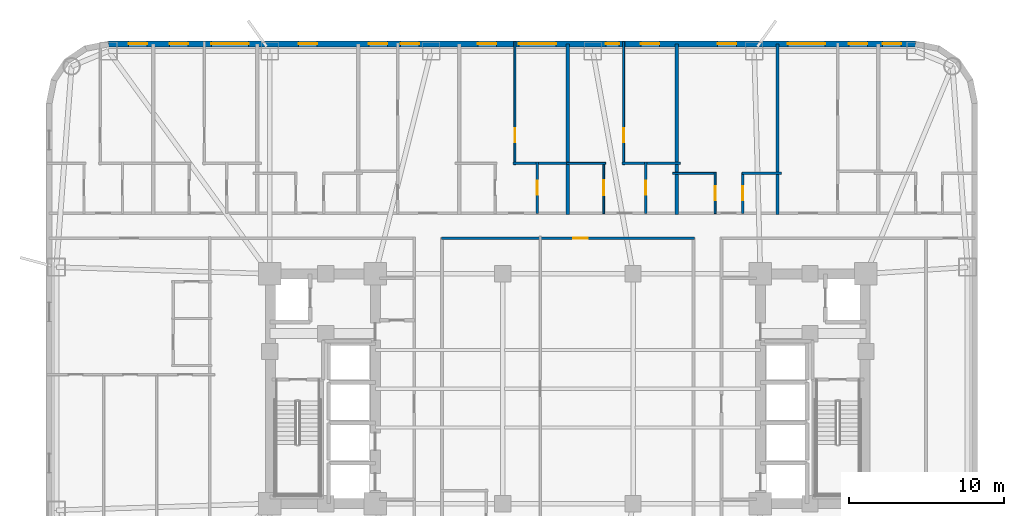
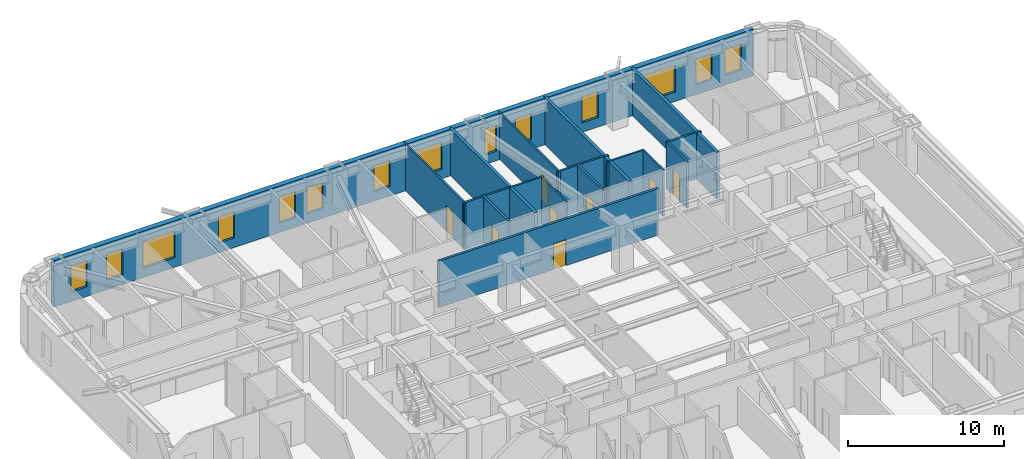
# One storey, part 8 of 11: 17 walls, 14 windows, 8 doors, 22 openings.
"""IFC4 building model written with IfcOpenShell, lengths in metres."""

from ifc_helpers import new_model, si_unit, direction, frame, frame_2d, origin, place, context, subcontext, project, spatial, rectangle, extrude, material, layer, layer_set, type_object, element, fill, save


model = new_model("IFC4")

# Units and contexts
model_context = context("Model", 3, precision=1e-05, world=origin(), true_north=direction((0.0, 1.0)))
body_context = subcontext(model_context, "Body", "Model", "MODEL_VIEW")
ifc_project = project(units=[si_unit("LENGTHUNIT", "METRE"), si_unit("AREAUNIT", "SQUARE_METRE"), si_unit("VOLUMEUNIT", "CUBIC_METRE"), si_unit("PLANEANGLEUNIT", "RADIAN"), si_unit("MASSUNIT", "GRAM", prefix="KILO")], contexts=[model_context])

# Site, building, storey
site_placement = place(None, origin())
site = spatial("IfcSite", under=ifc_project, at=site_placement, CompositionType="ELEMENT")
building_placement = place(site_placement, origin())
building = spatial("IfcBuilding", under=site, at=building_placement, Name="Voryun Gate Residences", CompositionType="ELEMENT")
storey_placement = place(building_placement, frame((0.0, 0.0, 49.39990234375)))
storey = spatial("IfcBuildingStorey", under=building, at=storey_placement, Name="L11", CompositionType="ELEMENT", Elevation=49.39990234375)

# Wall, opening, door
ifc_material_1 = material(Name="Gypsum acoustic fireboard")
ifc_layer_1 = layer(ifc_material_1, 0.179931640625, Name="W_CORR_RATED_180")
ifc_layer_set_1 = layer_set([ifc_layer_1], Name="Gypsum acoustic fireboard")
wall_type_1 = type_object("IfcWallType", Name="W_CORR_RATED_180", PredefinedType="PARTITIONING", material=ifc_layer_set_1)
wall_1_placement = place(storey_placement, frame((-8.14990234375, 9.68994140625, 0.0), z_axis=(0.0, 0.0, 1.0), x_axis=(1.0, 0.0, 0.0)))
wall_1 = element("IfcWall", 1, at=wall_1_placement, inside=storey, type_object=wall_type_1, Name="Partition wall WP-L11-Z1N", PredefinedType="PARTITIONING", context=body_context, shape_type="SweptSolid", body=[
    extrude(rectangle(XDim=16.2998046875, YDim=0.179931640625, at=frame_2d((8.14990234375, 0.0))), origin(), (0.0, 0.0, 1.0), 3.650146484375),
])
opening_1_placement = place(wall_1_placement, frame((8.489990234375, 0.0, 0.0)))
opening_1 = element("IfcOpeningElement", 2, at=opening_1_placement, cuts=wall_1, Name="Opening D-INT-1", PredefinedType="OPENING", context=body_context, shape_type="SweptSolid", body=[
    extrude(rectangle(XDim=0.949951171875, YDim=2.050048828125, at=frame_2d((0.47509765625, 1.02490234375))), frame((0.0, 0.099853515625, 0.0), z_axis=(0.0, -1.0, 0.0), x_axis=(1.0, 0.0, 0.0)), (0.0, 0.0, 1.0), 0.199951171875),
])
ifc_material_2 = material(Name="Architectural oak veneer")
door_type_1 = type_object("IfcDoorType", Name="DR_INT_ROOM_950", OperationType="NOTDEFINED", PredefinedType="DOOR", material=ifc_material_2)
door_1_placement = place(opening_1_placement, origin())
door_1 = element("IfcDoor", 3, at=door_1_placement, inside=storey, type_object=door_type_1, Name="Door DR-L11-CMIDZ1N", OperationType="SINGLE_SWING_LEFT", OverallHeight=2.050048828125, OverallWidth=0.949951171875, PredefinedType="DOOR", context=body_context, shape_type="SweptSolid", body=[
    extrude(rectangle(XDim=0.949951171875, YDim=2.050048828125, at=frame_2d((0.47509765625, 1.02490234375))), frame((0.0, 0.02490234375, 0.0), z_axis=(0.0, -1.0, 0.0), x_axis=(1.0, 0.0, 0.0)), (0.0, 0.0, 1.0), 0.050048828125),
])
fill(opening_1, door_1)

# Wall, openings, windows
ifc_material_3 = material(Name="Granite masonry", Category="masonry")
ifc_layer_2 = layer(ifc_material_3, 0.3798828125, Name="W_EXT_GRANITE_380")
ifc_layer_set_2 = layer_set([ifc_layer_2], Name="Granite masonry")
wall_type_2 = type_object("IfcWallType", Name="W_EXT_GRANITE_380", PredefinedType="ELEMENTEDWALL", material=ifc_layer_set_2)
wall_2_placement = place(storey_placement, frame((-29.581298828125, 22.2099609375, 0.0), z_axis=(0.0, 0.0, 1.0), x_axis=(1.0, 0.0, 0.0)))
wall_2 = element("IfcWall", 4, at=wall_2_placement, inside=storey, type_object=wall_type_2, Name="Exterior wall WEXT-L11-11", PredefinedType="ELEMENTEDWALL", context=body_context, shape_type="SweptSolid", body=[
    extrude(rectangle(XDim=51.962646484375, YDim=0.3798828125, at=frame_2d((25.9814453125, 0.0))), origin(), (0.0, 0.0, 1.0), 3.650146484375),
])
opening_2_placement = place(wall_2_placement, frame((6.6103515625, 0.0, 0.75)))
opening_2 = element("IfcOpeningElement", 5, at=opening_2_placement, cuts=wall_2, Name="Opening WN2", PredefinedType="OPENING", context=body_context, shape_type="SweptSolid", body=[
    extrude(rectangle(XDim=2.39990234375, YDim=2.10009765625, at=frame_2d((1.199951171875, 1.050048828125))), frame((0.0, 0.199951171875, 0.0), z_axis=(0.0, -1.0, 0.0), x_axis=(1.0, 0.0, 0.0)), (0.0, 0.0, 1.0), 0.39990234375),
])
opening_3_placement = place(wall_2_placement, frame((26.431396484375, 0.0, 0.75)))
opening_3 = element("IfcOpeningElement", 6, at=opening_3_placement, cuts=wall_2, Name="Opening WN2", PredefinedType="OPENING", context=body_context, shape_type="SweptSolid", body=[
    extrude(rectangle(XDim=2.39990234375, YDim=2.10009765625, at=frame_2d((1.199951171875, 1.050048828125))), frame((0.0, 0.199951171875, 0.0), z_axis=(0.0, -1.0, 0.0), x_axis=(1.0, 0.0, 0.0)), (0.0, 0.0, 1.0), 0.39990234375),
])
opening_4_placement = place(wall_2_placement, frame((43.752197265625, 0.0, 0.75)))
opening_4 = element("IfcOpeningElement", 7, at=opening_4_placement, cuts=wall_2, Name="Opening WN2", PredefinedType="OPENING", context=body_context, shape_type="SweptSolid", body=[
    extrude(rectangle(XDim=2.39990234375, YDim=2.10009765625, at=frame_2d((1.199951171875, 1.050048828125))), frame((0.0, 0.199951171875, 0.0), z_axis=(0.0, -1.0, 0.0), x_axis=(1.0, 0.0, 0.0)), (0.0, 0.0, 1.0), 0.39990234375),
])
opening_5_placement = place(wall_2_placement, frame((1.281005859375, 0.0, 0.75)))
opening_5 = element("IfcOpeningElement", 8, at=opening_5_placement, cuts=wall_2, Name="Opening WN6", PredefinedType="OPENING", context=body_context, shape_type="SweptSolid", body=[
    extrude(rectangle(XDim=1.199951171875, YDim=2.050048828125, at=frame_2d((0.60009765625, 1.02490234375))), frame((0.0, 0.199951171875, 0.0), z_axis=(0.0, -1.0, 0.0), x_axis=(1.0, 0.0, 0.0)), (0.0, 0.0, 1.0), 0.39990234375),
])
opening_6_placement = place(wall_2_placement, frame((3.921875, 0.0, 0.75)))
opening_6 = element("IfcOpeningElement", 9, at=opening_6_placement, cuts=wall_2, Name="Opening WN6", PredefinedType="OPENING", context=body_context, shape_type="SweptSolid", body=[
    extrude(rectangle(XDim=1.199951171875, YDim=2.050048828125, at=frame_2d((0.60009765625, 1.02490234375))), frame((0.0, 0.199951171875, 0.0), z_axis=(0.0, -1.0, 0.0), x_axis=(1.0, 0.0, 0.0)), (0.0, 0.0, 1.0), 0.39990234375),
])
opening_7_placement = place(wall_2_placement, frame((12.231201171875, 0.0, 0.75)))
opening_7 = element("IfcOpeningElement", 10, at=opening_7_placement, cuts=wall_2, Name="Opening WN6", PredefinedType="OPENING", context=body_context, shape_type="SweptSolid", body=[
    extrude(rectangle(XDim=1.199951171875, YDim=2.050048828125, at=frame_2d((0.60009765625, 1.02490234375))), frame((0.0, 0.199951171875, 0.0), z_axis=(0.0, -1.0, 0.0), x_axis=(1.0, 0.0, 0.0)), (0.0, 0.0, 1.0), 0.39990234375),
])
opening_8_placement = place(wall_2_placement, frame((18.805419921875, 0.0, 0.75)))
opening_8 = element("IfcOpeningElement", 11, at=opening_8_placement, cuts=wall_2, Name="Opening WN6", PredefinedType="OPENING", context=body_context, shape_type="SweptSolid", body=[
    extrude(rectangle(XDim=1.199951171875, YDim=2.050048828125, at=frame_2d((0.60009765625, 1.02490234375))), frame((0.0, 0.199951171875, 0.0), z_axis=(0.0, -1.0, 0.0), x_axis=(1.0, 0.0, 0.0)), (0.0, 0.0, 1.0), 0.39990234375),
])
opening_9_placement = place(wall_2_placement, frame((16.75537109375, 0.0, 0.75)))
opening_9 = element("IfcOpeningElement", 12, at=opening_9_placement, cuts=wall_2, Name="Opening WN6", PredefinedType="OPENING", context=body_context, shape_type="SweptSolid", body=[
    extrude(rectangle(XDim=1.199951171875, YDim=2.050048828125, at=frame_2d((0.60009765625, 1.02490234375))), frame((0.0, 0.199951171875, 0.0), z_axis=(0.0, -1.0, 0.0), x_axis=(1.0, 0.0, 0.0)), (0.0, 0.0, 1.0), 0.39990234375),
])
opening_10_placement = place(wall_2_placement, frame((23.7763671875, 0.0, 0.75)))
opening_10 = element("IfcOpeningElement", 13, at=opening_10_placement, cuts=wall_2, Name="Opening WN6", PredefinedType="OPENING", context=body_context, shape_type="SweptSolid", body=[
    extrude(rectangle(XDim=1.199951171875, YDim=2.050048828125, at=frame_2d((0.60009765625, 1.02490234375))), frame((0.0, 0.199951171875, 0.0), z_axis=(0.0, -1.0, 0.0), x_axis=(1.0, 0.0, 0.0)), (0.0, 0.0, 1.0), 0.39990234375),
])
opening_11_placement = place(wall_2_placement, frame((32.03125, 0.0, 0.75)))
opening_11 = element("IfcOpeningElement", 14, at=opening_11_placement, cuts=wall_2, Name="Opening WN9", PredefinedType="OPENING", context=body_context, shape_type="SweptSolid", body=[
    extrude(rectangle(XDim=0.85009765625, YDim=2.050048828125, at=frame_2d((0.425048828125, 1.02490234375))), frame((0.0, 0.199951171875, 0.0), z_axis=(0.0, -1.0, 0.0), x_axis=(1.0, 0.0, 0.0)), (0.0, 0.0, 1.0), 0.39990234375),
])
opening_12_placement = place(wall_2_placement, frame((34.2763671875, 0.0, 0.75)))
opening_12 = element("IfcOpeningElement", 15, at=opening_12_placement, cuts=wall_2, Name="Opening WN6", PredefinedType="OPENING", context=body_context, shape_type="SweptSolid", body=[
    extrude(rectangle(XDim=1.199951171875, YDim=2.050048828125, at=frame_2d((0.60009765625, 1.02490234375))), frame((0.0, 0.199951171875, 0.0), z_axis=(0.0, -1.0, 0.0), x_axis=(1.0, 0.0, 0.0)), (0.0, 0.0, 1.0), 0.39990234375),
])
opening_13_placement = place(wall_2_placement, frame((39.231201171875, 0.0, 0.75)))
opening_13 = element("IfcOpeningElement", 16, at=opening_13_placement, cuts=wall_2, Name="Opening WN6", PredefinedType="OPENING", context=body_context, shape_type="SweptSolid", body=[
    extrude(rectangle(XDim=1.199951171875, YDim=2.050048828125, at=frame_2d((0.60009765625, 1.02490234375))), frame((0.0, 0.199951171875, 0.0), z_axis=(0.0, -1.0, 0.0), x_axis=(1.0, 0.0, 0.0)), (0.0, 0.0, 1.0), 0.39990234375),
])
opening_14_placement = place(wall_2_placement, frame((47.67626953125, 0.0, 0.75)))
opening_14 = element("IfcOpeningElement", 17, at=opening_14_placement, cuts=wall_2, Name="Opening WN6", PredefinedType="OPENING", context=body_context, shape_type="SweptSolid", body=[
    extrude(rectangle(XDim=1.199951171875, YDim=2.050048828125, at=frame_2d((0.60009765625, 1.02490234375))), frame((0.0, 0.199951171875, 0.0), z_axis=(0.0, -1.0, 0.0), x_axis=(1.0, 0.0, 0.0)), (0.0, 0.0, 1.0), 0.39990234375),
])
opening_15_placement = place(wall_2_placement, frame((49.846923828125, 0.0, 0.75)))
opening_15 = element("IfcOpeningElement", 18, at=opening_15_placement, cuts=wall_2, Name="Opening WN6", PredefinedType="OPENING", context=body_context, shape_type="SweptSolid", body=[
    extrude(rectangle(XDim=1.199951171875, YDim=2.050048828125, at=frame_2d((0.60009765625, 1.02490234375))), frame((0.0, 0.199951171875, 0.0), z_axis=(0.0, -1.0, 0.0), x_axis=(1.0, 0.0, 0.0)), (0.0, 0.0, 1.0), 0.39990234375),
])
ifc_material_4 = material(Name="Laminated low-E glass", Category="glass")
window_type_1 = type_object("IfcWindowType", Name="WN_POD_SLOT_1200", PartitioningType="SINGLE_PANEL", PredefinedType="WINDOW", material=ifc_material_4)
window_1_placement = place(opening_5_placement, origin())
window_1 = element("IfcWindow", 19, at=window_1_placement, inside=storey, type_object=window_type_1, Name="Window WN-L11-DWFIX-02", OverallHeight=2.050048828125, OverallWidth=1.199951171875, PartitioningType="SINGLE_PANEL", PredefinedType="WINDOW", context=body_context, shape_type="SweptSolid", body=[
    extrude(rectangle(XDim=1.199951171875, YDim=2.050048828125, at=frame_2d((0.60009765625, 1.02490234375))), frame((0.0, 0.030029296875, 0.0), z_axis=(0.0, -1.0, 0.0), x_axis=(1.0, 0.0, 0.0)), (0.0, 0.0, 1.0), 0.06005859375),
])
fill(opening_5, window_1)
window_2_placement = place(opening_6_placement, origin())
window_2 = element("IfcWindow", 20, at=window_2_placement, inside=storey, type_object=window_type_1, Name="Window WN-L11-DWFIX-03", OverallHeight=2.050048828125, OverallWidth=1.199951171875, PartitioningType="SINGLE_PANEL", PredefinedType="WINDOW", context=body_context, shape_type="SweptSolid", body=[
    extrude(rectangle(XDim=1.199951171875, YDim=2.050048828125, at=frame_2d((0.60009765625, 1.02490234375))), frame((0.0, 0.030029296875, 0.0), z_axis=(0.0, -1.0, 0.0), x_axis=(1.0, 0.0, 0.0)), (0.0, 0.0, 1.0), 0.06005859375),
])
fill(opening_6, window_2)
window_3_placement = place(opening_7_placement, origin())
window_3 = element("IfcWindow", 21, at=window_3_placement, inside=storey, type_object=window_type_1, Name="Window WN-L11-DWFIX-04", OverallHeight=2.050048828125, OverallWidth=1.199951171875, PartitioningType="SINGLE_PANEL", PredefinedType="WINDOW", context=body_context, shape_type="SweptSolid", body=[
    extrude(rectangle(XDim=1.199951171875, YDim=2.050048828125, at=frame_2d((0.60009765625, 1.02490234375))), frame((0.0, 0.030029296875, 0.0), z_axis=(0.0, -1.0, 0.0), x_axis=(1.0, 0.0, 0.0)), (0.0, 0.0, 1.0), 0.06005859375),
])
fill(opening_7, window_3)
window_4_placement = place(opening_8_placement, origin())
window_4 = element("IfcWindow", 22, at=window_4_placement, inside=storey, type_object=window_type_1, Name="Window WN-L11-DWFIX-05", OverallHeight=2.050048828125, OverallWidth=1.199951171875, PartitioningType="SINGLE_PANEL", PredefinedType="WINDOW", context=body_context, shape_type="SweptSolid", body=[
    extrude(rectangle(XDim=1.199951171875, YDim=2.050048828125, at=frame_2d((0.60009765625, 1.02490234375))), frame((0.0, 0.030029296875, 0.0), z_axis=(0.0, -1.0, 0.0), x_axis=(1.0, 0.0, 0.0)), (0.0, 0.0, 1.0), 0.06005859375),
])
fill(opening_8, window_4)
window_5_placement = place(opening_9_placement, origin())
window_5 = element("IfcWindow", 23, at=window_5_placement, inside=storey, type_object=window_type_1, Name="Window WN-L11-DWFIX-06", OverallHeight=2.050048828125, OverallWidth=1.199951171875, PartitioningType="SINGLE_PANEL", PredefinedType="WINDOW", context=body_context, shape_type="SweptSolid", body=[
    extrude(rectangle(XDim=1.199951171875, YDim=2.050048828125, at=frame_2d((0.60009765625, 1.02490234375))), frame((0.0, 0.030029296875, 0.0), z_axis=(0.0, -1.0, 0.0), x_axis=(1.0, 0.0, 0.0)), (0.0, 0.0, 1.0), 0.06005859375),
])
fill(opening_9, window_5)
window_6_placement = place(opening_10_placement, origin())
window_6 = element("IfcWindow", 24, at=window_6_placement, inside=storey, type_object=window_type_1, Name="Window WN-L11-DWFIX-07", OverallHeight=2.050048828125, OverallWidth=1.199951171875, PartitioningType="SINGLE_PANEL", PredefinedType="WINDOW", context=body_context, shape_type="SweptSolid", body=[
    extrude(rectangle(XDim=1.199951171875, YDim=2.050048828125, at=frame_2d((0.60009765625, 1.02490234375))), frame((0.0, 0.030029296875, 0.0), z_axis=(0.0, -1.0, 0.0), x_axis=(1.0, 0.0, 0.0)), (0.0, 0.0, 1.0), 0.06005859375),
])
fill(opening_10, window_6)
window_7_placement = place(opening_12_placement, origin())
window_7 = element("IfcWindow", 25, at=window_7_placement, inside=storey, type_object=window_type_1, Name="Window WN-L11-DWFIX-09", OverallHeight=2.050048828125, OverallWidth=1.199951171875, PartitioningType="SINGLE_PANEL", PredefinedType="WINDOW", context=body_context, shape_type="SweptSolid", body=[
    extrude(rectangle(XDim=1.199951171875, YDim=2.050048828125, at=frame_2d((0.60009765625, 1.02490234375))), frame((0.0, 0.030029296875, 0.0), z_axis=(0.0, -1.0, 0.0), x_axis=(1.0, 0.0, 0.0)), (0.0, 0.0, 1.0), 0.06005859375),
])
fill(opening_12, window_7)
window_8_placement = place(opening_13_placement, origin())
window_8 = element("IfcWindow", 26, at=window_8_placement, inside=storey, type_object=window_type_1, Name="Window WN-L11-DWFIX-10", OverallHeight=2.050048828125, OverallWidth=1.199951171875, PartitioningType="SINGLE_PANEL", PredefinedType="WINDOW", context=body_context, shape_type="SweptSolid", body=[
    extrude(rectangle(XDim=1.199951171875, YDim=2.050048828125, at=frame_2d((0.60009765625, 1.02490234375))), frame((0.0, 0.030029296875, 0.0), z_axis=(0.0, -1.0, 0.0), x_axis=(1.0, 0.0, 0.0)), (0.0, 0.0, 1.0), 0.06005859375),
])
fill(opening_13, window_8)
window_9_placement = place(opening_14_placement, origin())
window_9 = element("IfcWindow", 27, at=window_9_placement, inside=storey, type_object=window_type_1, Name="Window WN-L11-DWFIX-11", OverallHeight=2.050048828125, OverallWidth=1.199951171875, PartitioningType="SINGLE_PANEL", PredefinedType="WINDOW", context=body_context, shape_type="SweptSolid", body=[
    extrude(rectangle(XDim=1.199951171875, YDim=2.050048828125, at=frame_2d((0.60009765625, 1.02490234375))), frame((0.0, 0.030029296875, 0.0), z_axis=(0.0, -1.0, 0.0), x_axis=(1.0, 0.0, 0.0)), (0.0, 0.0, 1.0), 0.06005859375),
])
fill(opening_14, window_9)
window_10_placement = place(opening_15_placement, origin())
window_10 = element("IfcWindow", 28, at=window_10_placement, inside=storey, type_object=window_type_1, Name="Window WN-L11-DWFIX-12", OverallHeight=2.050048828125, OverallWidth=1.199951171875, PartitioningType="SINGLE_PANEL", PredefinedType="WINDOW", context=body_context, shape_type="SweptSolid", body=[
    extrude(rectangle(XDim=1.199951171875, YDim=2.050048828125, at=frame_2d((0.60009765625, 1.02490234375))), frame((0.0, 0.030029296875, 0.0), z_axis=(0.0, -1.0, 0.0), x_axis=(1.0, 0.0, 0.0)), (0.0, 0.0, 1.0), 0.06005859375),
])
fill(opening_15, window_10)
ifc_material_5 = material(Name="Laminated low-E glass", Category="glass")
window_type_2 = type_object("IfcWindowType", Name="WN_RES_CASEMENT_850", PartitioningType="SINGLE_PANEL", PredefinedType="WINDOW", material=ifc_material_5)
window_11_placement = place(opening_11_placement, origin())
window_11 = element("IfcWindow", 29, at=window_11_placement, inside=storey, type_object=window_type_2, Name="Window WN-L11-DWFIX-08", OverallHeight=2.050048828125, OverallWidth=0.85009765625, PartitioningType="SINGLE_PANEL", PredefinedType="WINDOW", context=body_context, shape_type="SweptSolid", body=[
    extrude(rectangle(XDim=0.85009765625, YDim=2.050048828125, at=frame_2d((0.425048828125, 1.02490234375))), frame((0.0, 0.030029296875, 0.0), z_axis=(0.0, -1.0, 0.0), x_axis=(1.0, 0.0, 0.0)), (0.0, 0.0, 1.0), 0.06005859375),
])
fill(opening_11, window_11)
ifc_material_6 = material(Name="Laminated low-E glass", Category="glass")
window_type_3 = type_object("IfcWindowType", Name="WN_RES_WIDE_2400", PartitioningType="SINGLE_PANEL", PredefinedType="WINDOW", material=ifc_material_6)
window_12_placement = place(opening_2_placement, origin())
window_12 = element("IfcWindow", 30, at=window_12_placement, inside=storey, type_object=window_type_3, Name="Window WN-WEXT-L11-11-01", OverallHeight=2.10009765625, OverallWidth=2.39990234375, PartitioningType="SINGLE_PANEL", PredefinedType="WINDOW", context=body_context, shape_type="SweptSolid", body=[
    extrude(rectangle(XDim=2.39990234375, YDim=2.10009765625, at=frame_2d((1.199951171875, 1.050048828125))), frame((0.0, 0.030029296875, 0.0), z_axis=(0.0, -1.0, 0.0), x_axis=(1.0, 0.0, 0.0)), (0.0, 0.0, 1.0), 0.06005859375),
])
fill(opening_2, window_12)
window_13_placement = place(opening_3_placement, origin())
window_13 = element("IfcWindow", 31, at=window_13_placement, inside=storey, type_object=window_type_3, Name="Window WN-WEXT-L11-11-02", OverallHeight=2.10009765625, OverallWidth=2.39990234375, PartitioningType="SINGLE_PANEL", PredefinedType="WINDOW", context=body_context, shape_type="SweptSolid", body=[
    extrude(rectangle(XDim=2.39990234375, YDim=2.10009765625, at=frame_2d((1.199951171875, 1.050048828125))), frame((0.0, 0.030029296875, 0.0), z_axis=(0.0, -1.0, 0.0), x_axis=(1.0, 0.0, 0.0)), (0.0, 0.0, 1.0), 0.06005859375),
])
fill(opening_3, window_13)
window_14_placement = place(opening_4_placement, origin())
window_14 = element("IfcWindow", 32, at=window_14_placement, inside=storey, type_object=window_type_3, Name="Window WN-WEXT-L11-11-03", OverallHeight=2.10009765625, OverallWidth=2.39990234375, PartitioningType="SINGLE_PANEL", PredefinedType="WINDOW", context=body_context, shape_type="SweptSolid", body=[
    extrude(rectangle(XDim=2.39990234375, YDim=2.10009765625, at=frame_2d((1.199951171875, 1.050048828125))), frame((0.0, 0.030029296875, 0.0), z_axis=(0.0, -1.0, 0.0), x_axis=(1.0, 0.0, 0.0)), (0.0, 0.0, 1.0), 0.06005859375),
])
fill(opening_4, window_14)

# Walls
ifc_material_7 = material(Name="Concrete C40/50", Category="concrete")
ifc_layer_3 = layer(ifc_material_7, 0.219970703125, Name="W_PARTY_ACOUSTIC_220")
ifc_layer_set_3 = layer_set([ifc_layer_3], Name="Concrete C40/50")
wall_type_3 = type_object("IfcWallType", Name="W_PARTY_ACOUSTIC_220", PredefinedType="PARTITIONING", material=ifc_layer_set_3)
for number, where, z_axis, x_axis, name in (
    (33, (0.0, 11.219970703125, 0.0), (0.0, 0.0, 1.0), (0.0, 1.0, 0.0), "Partition wall WP-L11-NPTY-5"),
    (34, (7.0, 11.219970703125, 0.0), (0.0, 0.0, 1.0), (0.0, 1.0, 0.0), "Partition wall WP-L11-NPTY-6"),
    (35, (13.5, 11.219970703125, 0.0), (0.0, 0.0, 1.0), (0.0, 1.0, 0.0), "Partition wall WP-L11-NPTY-7"),
):
    element("IfcWall", number, at=place(storey_placement, frame(where, z_axis=z_axis, x_axis=x_axis)), inside=storey, type_object=wall_type_3, Name=name, PredefinedType="PARTITIONING", context=body_context, shape_type="SweptSolid", body=[
        extrude(rectangle(XDim=10.989990234375, YDim=0.219970703125, at=frame_2d((5.4951171875, 0.0))), origin(), (0.0, 0.0, 1.0), 3.650146484375),
    ])

# Wall, opening, door
ifc_material_8 = material(Name="Gypsum acoustic partition")
ifc_layer_4 = layer(ifc_material_8, 0.125, Name="W_UNIT_PART_125")
ifc_layer_set_4 = layer_set([ifc_layer_4], Name="Gypsum acoustic partition")
wall_type_4 = type_object("IfcWallType", Name="W_UNIT_PART_125", PredefinedType="PARTITIONING", material=ifc_layer_set_4)
wall_3_placement = place(storey_placement, frame((-3.409912109375, 14.43994140625, 0.0), z_axis=(0.0, 0.0, 1.0), x_axis=(0.0, 1.0, 0.0)))
wall_3 = element("IfcWall", 36, at=wall_3_placement, inside=storey, type_object=wall_type_4, Name="Partition wall WP-L11-N5-OVR", PredefinedType="PARTITIONING", context=body_context, shape_type="SweptSolid", body=[
    extrude(rectangle(XDim=7.920166015625, YDim=0.125, at=frame_2d((3.9599609375, 0.0))), origin(), (0.0, 0.0, 1.0), 3.650146484375),
])
opening_16_placement = place(wall_3_placement, frame((1.45068359375, 0.0, 0.0)))
opening_16 = element("IfcOpeningElement", 37, at=opening_16_placement, cuts=wall_3, Name="Opening D-INT-2", PredefinedType="OPENING", context=body_context, shape_type="SweptSolid", body=[
    extrude(rectangle(XDim=0.89990234375, YDim=2.050048828125, at=frame_2d((0.449951171875, 1.02490234375))), frame((0.0, 0.072509765625, 0.0), z_axis=(0.0, -1.0, 0.0), x_axis=(1.0, 0.0, 0.0)), (0.0, 0.0, 1.0), 0.14501953125),
])
ifc_material_9 = material(Name="Architectural oak veneer")
door_type_2 = type_object("IfcDoorType", Name="DR_INT_BATH_900", OperationType="NOTDEFINED", PredefinedType="DOOR", material=ifc_material_9)
door_2_placement = place(opening_16_placement, origin())
door_2 = element("IfcDoor", 38, at=door_2_placement, inside=storey, type_object=door_type_2, Name="Door DR-L11-N5-DMB", OperationType="SINGLE_SWING_RIGHT", OverallHeight=2.050048828125, OverallWidth=0.89990234375, PredefinedType="DOOR", context=body_context, shape_type="SweptSolid", body=[
    extrude(rectangle(XDim=0.89990234375, YDim=2.050048828125, at=frame_2d((0.449951171875, 1.02490234375))), frame((0.0, 0.02490234375, 0.0), z_axis=(0.0, -1.0, 0.0), x_axis=(1.0, 0.0, 0.0)), (0.0, 0.0, 1.0), 0.050048828125),
])
fill(opening_16, door_2)

wall_4_placement = place(storey_placement, frame((3.590087890625, 14.43994140625, 0.0), z_axis=(0.0, 0.0, 1.0), x_axis=(0.0, 1.0, 0.0)))
wall_4 = element("IfcWall", 39, at=wall_4_placement, inside=storey, type_object=wall_type_4, Name="Partition wall WP-L11-N6-OVR", PredefinedType="PARTITIONING", context=body_context, shape_type="SweptSolid", body=[
    extrude(rectangle(XDim=7.920166015625, YDim=0.125, at=frame_2d((3.9599609375, 0.0))), origin(), (0.0, 0.0, 1.0), 3.650146484375),
])
opening_17_placement = place(wall_4_placement, frame((1.45068359375, 0.0, 0.0)))
opening_17 = element("IfcOpeningElement", 40, at=opening_17_placement, cuts=wall_4, Name="Opening D-INT-2", PredefinedType="OPENING", context=body_context, shape_type="SweptSolid", body=[
    extrude(rectangle(XDim=0.89990234375, YDim=2.050048828125, at=frame_2d((0.449951171875, 1.02490234375))), frame((0.0, 0.072509765625, 0.0), z_axis=(0.0, -1.0, 0.0), x_axis=(1.0, 0.0, 0.0)), (0.0, 0.0, 1.0), 0.14501953125),
])
door_3_placement = place(opening_17_placement, origin())
door_3 = element("IfcDoor", 41, at=door_3_placement, inside=storey, type_object=door_type_2, Name="Door DR-L11-N6-DMB", OperationType="SINGLE_SWING_RIGHT", OverallHeight=2.050048828125, OverallWidth=0.89990234375, PredefinedType="DOOR", context=body_context, shape_type="SweptSolid", body=[
    extrude(rectangle(XDim=0.89990234375, YDim=2.050048828125, at=frame_2d((0.449951171875, 1.02490234375))), frame((0.0, 0.02490234375, 0.0), z_axis=(0.0, -1.0, 0.0), x_axis=(1.0, 0.0, 0.0)), (0.0, 0.0, 1.0), 0.050048828125),
])
fill(opening_17, door_3)

wall_5_placement = place(storey_placement, frame((2.31005859375, 11.280029296875, 0.0), z_axis=(0.0, 0.0, 1.0), x_axis=(0.0, 1.0, 0.0)))
wall_5 = element("IfcWall", 42, at=wall_5_placement, inside=storey, type_object=wall_type_4, Name="Partition wall WP-L11-N6-IVK", PredefinedType="PARTITIONING", context=body_context, shape_type="SweptSolid", body=[
    extrude(rectangle(XDim=3.320068359375, YDim=0.125, at=frame_2d((1.66015625, 0.0))), origin(), (0.0, 0.0, 1.0), 3.650146484375),
])
opening_18_placement = place(wall_5_placement, frame((1.18505859375, 0.0, 0.0)))
opening_18 = element("IfcOpeningElement", 43, at=opening_18_placement, cuts=wall_5, Name="Opening D-INT-1", PredefinedType="OPENING", context=body_context, shape_type="SweptSolid", body=[
    extrude(rectangle(XDim=0.949951171875, YDim=2.050048828125, at=frame_2d((0.47509765625, 1.02490234375))), frame((0.0, 0.072509765625, 0.0), z_axis=(0.0, -1.0, 0.0), x_axis=(1.0, 0.0, 0.0)), (0.0, 0.0, 1.0), 0.14501953125),
])
door_4_placement = place(opening_18_placement, origin())
door_4 = element("IfcDoor", 44, at=door_4_placement, inside=storey, type_object=door_type_1, Name="Door DR-L11-N6-DK", OperationType="SINGLE_SWING_LEFT", OverallHeight=2.050048828125, OverallWidth=0.949951171875, PredefinedType="DOOR", context=body_context, shape_type="SweptSolid", body=[
    extrude(rectangle(XDim=0.949951171875, YDim=2.050048828125, at=frame_2d((0.47509765625, 1.02490234375))), frame((0.0, 0.02490234375, 0.0), z_axis=(0.0, -1.0, 0.0), x_axis=(1.0, 0.0, 0.0)), (0.0, 0.0, 1.0), 0.050048828125),
])
fill(opening_18, door_4)

# Wall
wall_6_placement = place(storey_placement, frame((-0.074951171875, 14.52001953125, 0.0), z_axis=(0.0, 0.0, 1.0), x_axis=(1.0, 0.0, 0.0)))
element("IfcWall", 45, at=wall_6_placement, inside=storey, type_object=wall_type_4, Name="Partition wall WP-L11-N6-HZK", PredefinedType="PARTITIONING", context=body_context, shape_type="SweptSolid", body=[
    extrude(rectangle(XDim=2.5048828125, YDim=0.125, at=frame_2d((1.25244140625, 0.0))), origin(), (0.0, 0.0, 1.0), 3.650146484375),
])

# Wall, opening, door
wall_7_placement = place(storey_placement, frame((9.48388671875, 11.280029296875, 0.0), z_axis=(0.0, 0.0, 1.0), x_axis=(0.0, 1.0, 0.0)))
wall_7 = element("IfcWall", 46, at=wall_7_placement, inside=storey, type_object=wall_type_4, Name="Partition wall WP-L11-N7-CVK", PredefinedType="PARTITIONING", context=body_context, shape_type="SweptSolid", body=[
    extrude(rectangle(XDim=2.64990234375, YDim=0.125, at=frame_2d((1.324951171875, 0.0))), origin(), (0.0, 0.0, 1.0), 3.650146484375),
])
opening_19_placement = place(wall_7_placement, frame((0.875, 0.0, 0.0)))
opening_19 = element("IfcOpeningElement", 47, at=opening_19_placement, cuts=wall_7, Name="Opening D-INT-2", PredefinedType="OPENING", context=body_context, shape_type="SweptSolid", body=[
    extrude(rectangle(XDim=0.89990234375, YDim=2.050048828125, at=frame_2d((0.449951171875, 1.02490234375))), frame((0.0, 0.072509765625, 0.0), z_axis=(0.0, -1.0, 0.0), x_axis=(1.0, 0.0, 0.0)), (0.0, 0.0, 1.0), 0.14501953125),
])
door_5_placement = place(opening_19_placement, origin())
door_5 = element("IfcDoor", 48, at=door_5_placement, inside=storey, type_object=door_type_2, Name="Door DR-L11-N7-DK", OperationType="SINGLE_SWING_LEFT", OverallHeight=2.050048828125, OverallWidth=0.89990234375, PredefinedType="DOOR", context=body_context, shape_type="SweptSolid", body=[
    extrude(rectangle(XDim=0.89990234375, YDim=2.050048828125, at=frame_2d((0.449951171875, 1.02490234375))), frame((0.0, 0.02490234375, 0.0), z_axis=(0.0, -1.0, 0.0), x_axis=(1.0, 0.0, 0.0)), (0.0, 0.0, 1.0), 0.050048828125),
])
fill(opening_19, door_5)

# Walls
wall_8_placement = place(storey_placement, frame((6.739990234375, 13.8701171875, 0.0), z_axis=(0.0, 0.0, 1.0), x_axis=(1.0, 0.0, 0.0)))
element("IfcWall", 49, at=wall_8_placement, inside=storey, type_object=wall_type_4, Name="Partition wall WP-L11-N7-CHK", PredefinedType="PARTITIONING", context=body_context, shape_type="SweptSolid", body=[
    extrude(rectangle(XDim=2.803955078125, YDim=0.125, at=frame_2d((1.40185546875, 0.0))), origin(), (0.0, 0.0, 1.0), 3.650146484375),
])
ifc_material_10 = material(Name="Gypsum moisture-resistant partition")
ifc_layer_5 = layer(ifc_material_10, 0.14990234375, Name="W_WET_PLUMB_150")
ifc_layer_set_5 = layer_set([ifc_layer_5], Name="Gypsum moisture-resistant partition")
wall_type_5 = type_object("IfcWallType", Name="W_WET_PLUMB_150", PredefinedType="PLUMBINGWALL", material=ifc_layer_set_5)
wall_9_placement = place(storey_placement, frame((-3.530029296875, 14.52001953125, 0.0), z_axis=(0.0, 0.0, 1.0), x_axis=(1.0, 0.0, 0.0)))
element("IfcWall", 50, at=wall_9_placement, inside=storey, type_object=wall_type_5, Name="Partition wall WP-L11-N5-HZB", PredefinedType="PLUMBINGWALL", context=body_context, shape_type="SweptSolid", body=[
    extrude(rectangle(XDim=3.60498046875, YDim=0.14990234375, at=frame_2d((1.802490234375, 0.0))), origin(), (0.0, 0.0, 1.0), 3.650146484375),
])

# Wall, opening, door
wall_10_placement = place(storey_placement, frame((-1.97998046875, 11.280029296875, 0.0), z_axis=(0.0, 0.0, 1.0), x_axis=(0.0, 1.0, 0.0)))
wall_10 = element("IfcWall", 51, at=wall_10_placement, inside=storey, type_object=wall_type_5, Name="Partition wall WP-L11-N5-IVB", PredefinedType="PLUMBINGWALL", context=body_context, shape_type="SweptSolid", body=[
    extrude(rectangle(XDim=3.320068359375, YDim=0.14990234375, at=frame_2d((1.66015625, 0.0))), origin(), (0.0, 0.0, 1.0), 3.650146484375),
])
opening_20_placement = place(wall_10_placement, frame((1.2099609375, 0.0, 0.0)))
opening_20 = element("IfcOpeningElement", 52, at=opening_20_placement, cuts=wall_10, Name="Opening D-INT-2", PredefinedType="OPENING", context=body_context, shape_type="SweptSolid", body=[
    extrude(rectangle(XDim=0.89990234375, YDim=2.050048828125, at=frame_2d((0.449951171875, 1.02490234375))), frame((0.0, 0.0849609375, 0.0), z_axis=(0.0, -1.0, 0.0), x_axis=(1.0, 0.0, 0.0)), (0.0, 0.0, 1.0), 0.169921875),
])
door_6_placement = place(opening_20_placement, origin())
door_6 = element("IfcDoor", 53, at=door_6_placement, inside=storey, type_object=door_type_2, Name="Door DR-L11-N5-DB", OperationType="SINGLE_SWING_RIGHT", OverallHeight=2.050048828125, OverallWidth=0.89990234375, PredefinedType="DOOR", context=body_context, shape_type="SweptSolid", body=[
    extrude(rectangle(XDim=0.89990234375, YDim=2.050048828125, at=frame_2d((0.449951171875, 1.02490234375))), frame((0.0, 0.02490234375, 0.0), z_axis=(0.0, -1.0, 0.0), x_axis=(1.0, 0.0, 0.0)), (0.0, 0.0, 1.0), 0.050048828125),
])
fill(opening_20, door_6)

# Wall
wall_11_placement = place(storey_placement, frame((3.469970703125, 14.52001953125, 0.0), z_axis=(0.0, 0.0, 1.0), x_axis=(1.0, 0.0, 0.0)))
element("IfcWall", 54, at=wall_11_placement, inside=storey, type_object=wall_type_5, Name="Partition wall WP-L11-N6-HZB", PredefinedType="PLUMBINGWALL", context=body_context, shape_type="SweptSolid", body=[
    extrude(rectangle(XDim=3.7900390625, YDim=0.14990234375, at=frame_2d((1.89501953125, 0.0))), origin(), (0.0, 0.0, 1.0), 3.650146484375),
])

# Wall, opening, door
wall_12_placement = place(storey_placement, frame((5.02001953125, 11.280029296875, 0.0), z_axis=(0.0, 0.0, 1.0), x_axis=(0.0, 1.0, 0.0)))
wall_12 = element("IfcWall", 55, at=wall_12_placement, inside=storey, type_object=wall_type_5, Name="Partition wall WP-L11-N6-IVB", PredefinedType="PLUMBINGWALL", context=body_context, shape_type="SweptSolid", body=[
    extrude(rectangle(XDim=3.320068359375, YDim=0.14990234375, at=frame_2d((1.66015625, 0.0))), origin(), (0.0, 0.0, 1.0), 3.650146484375),
])
opening_21_placement = place(wall_12_placement, frame((1.2099609375, 0.0, 0.0)))
opening_21 = element("IfcOpeningElement", 56, at=opening_21_placement, cuts=wall_12, Name="Opening D-INT-2", PredefinedType="OPENING", context=body_context, shape_type="SweptSolid", body=[
    extrude(rectangle(XDim=0.89990234375, YDim=2.050048828125, at=frame_2d((0.449951171875, 1.02490234375))), frame((0.0, 0.0849609375, 0.0), z_axis=(0.0, -1.0, 0.0), x_axis=(1.0, 0.0, 0.0)), (0.0, 0.0, 1.0), 0.169921875),
])
door_7_placement = place(opening_21_placement, origin())
door_7 = element("IfcDoor", 57, at=door_7_placement, inside=storey, type_object=door_type_2, Name="Door DR-L11-N6-DB", OperationType="SINGLE_SWING_RIGHT", OverallHeight=2.050048828125, OverallWidth=0.89990234375, PredefinedType="DOOR", context=body_context, shape_type="SweptSolid", body=[
    extrude(rectangle(XDim=0.89990234375, YDim=2.050048828125, at=frame_2d((0.449951171875, 1.02490234375))), frame((0.0, 0.02490234375, 0.0), z_axis=(0.0, -1.0, 0.0), x_axis=(1.0, 0.0, 0.0)), (0.0, 0.0, 1.0), 0.050048828125),
])
fill(opening_21, door_7)

wall_13_placement = place(storey_placement, frame((11.27099609375, 11.280029296875, 0.0), z_axis=(0.0, 0.0, 1.0), x_axis=(0.0, 1.0, 0.0)))
wall_13 = element("IfcWall", 58, at=wall_13_placement, inside=storey, type_object=wall_type_5, Name="Partition wall WP-L11-N7-CVB", PredefinedType="PLUMBINGWALL", context=body_context, shape_type="SweptSolid", body=[
    extrude(rectangle(XDim=2.64990234375, YDim=0.14990234375, at=frame_2d((1.324951171875, 0.0))), origin(), (0.0, 0.0, 1.0), 3.650146484375),
])
opening_22_placement = place(wall_13_placement, frame((0.875, 0.0, 0.0)))
opening_22 = element("IfcOpeningElement", 59, at=opening_22_placement, cuts=wall_13, Name="Opening D-INT-2", PredefinedType="OPENING", context=body_context, shape_type="SweptSolid", body=[
    extrude(rectangle(XDim=0.89990234375, YDim=2.050048828125, at=frame_2d((0.449951171875, 1.02490234375))), frame((0.0, 0.0849609375, 0.0), z_axis=(0.0, -1.0, 0.0), x_axis=(1.0, 0.0, 0.0)), (0.0, 0.0, 1.0), 0.169921875),
])
door_8_placement = place(opening_22_placement, origin())
door_8 = element("IfcDoor", 60, at=door_8_placement, inside=storey, type_object=door_type_2, Name="Door DR-L11-N7-DB", OperationType="SINGLE_SWING_RIGHT", OverallHeight=2.050048828125, OverallWidth=0.89990234375, PredefinedType="DOOR", context=body_context, shape_type="SweptSolid", body=[
    extrude(rectangle(XDim=0.89990234375, YDim=2.050048828125, at=frame_2d((0.449951171875, 1.02490234375))), frame((0.0, 0.02490234375, 0.0), z_axis=(0.0, -1.0, 0.0), x_axis=(1.0, 0.0, 0.0)), (0.0, 0.0, 1.0), 0.050048828125),
])
fill(opening_22, door_8)

# Wall
wall_14_placement = place(storey_placement, frame((11.2109375, 13.8701171875, 0.0), z_axis=(0.0, 0.0, 1.0), x_axis=(1.0, 0.0, 0.0)))
element("IfcWall", 61, at=wall_14_placement, inside=storey, type_object=wall_type_5, Name="Partition wall WP-L11-N7-CHB", PredefinedType="PLUMBINGWALL", context=body_context, shape_type="SweptSolid", body=[
    extrude(rectangle(XDim=2.549072265625, YDim=0.14990234375, at=frame_2d((1.2744140625, 0.0))), origin(), (0.0, 0.0, 1.0), 3.650146484375),
])

save(model, "model.ifc")
